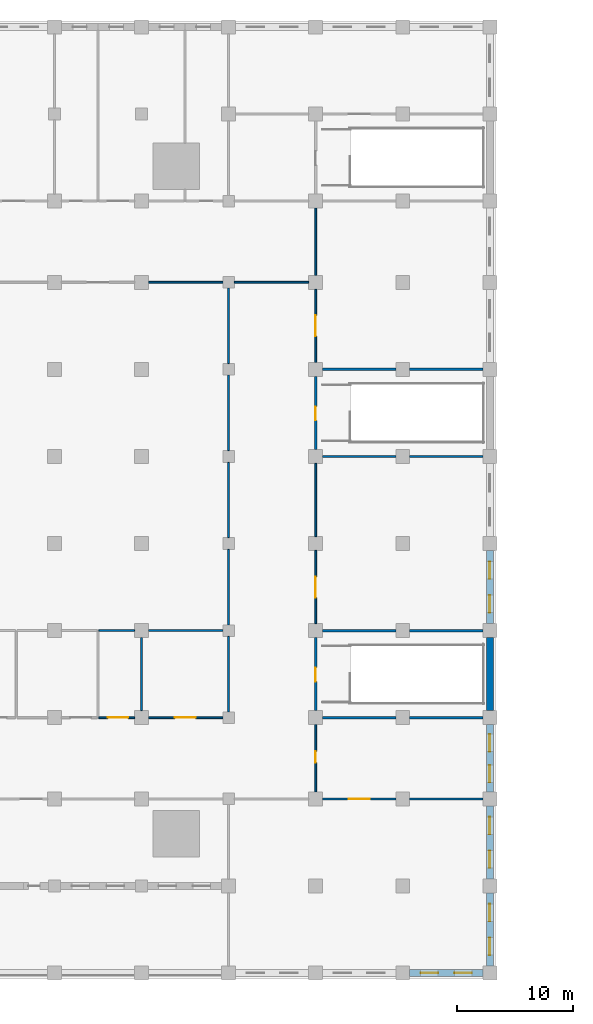
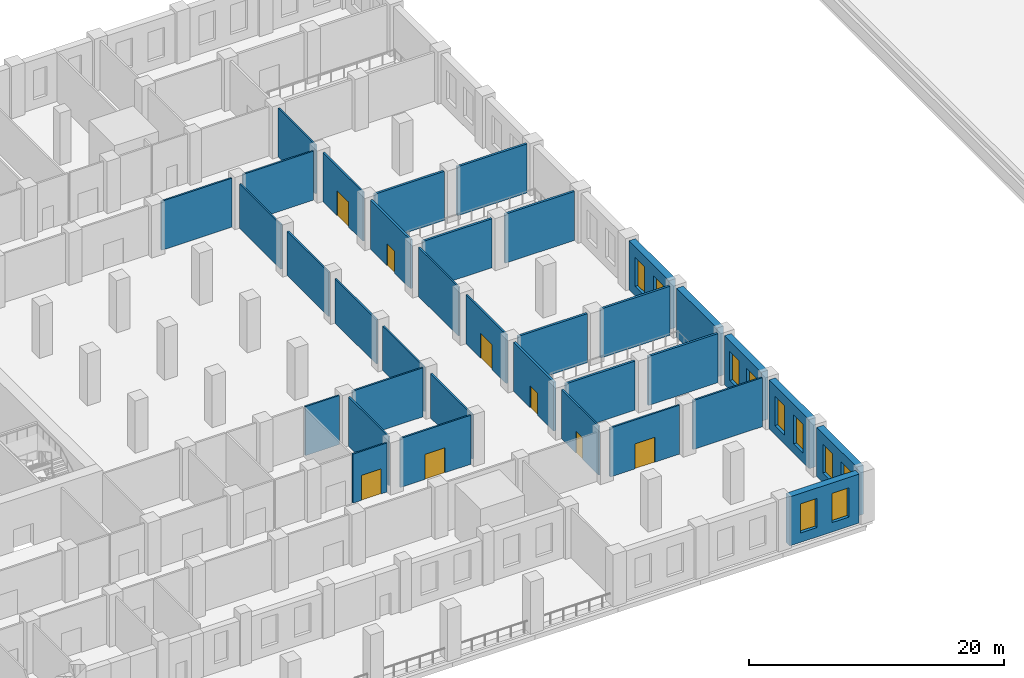
# One storey, part 8 of 22: 35 walls, 10 windows, 8 doors, 18 openings.
"""IFC4 building model written with IfcOpenShell, lengths in metres."""

import ifcopenshell
import ifcopenshell.guid

model = None  # the IFC model being written
_history = None  # IfcOwnerHistory: only IFC2X3 demands one
_inside = {}  # id of a spatial element -> (the spatial element, [elements in it])
_under = {}  # id of a project, library or spatial element -> (it, [spatial elements below it])
_declared = {}  # id of a project -> (the project, [libraries it declares])
_typed = {}  # id of a type object -> (the type object, [elements of that type])
_made_of = {}  # id of a material, layer set ... -> (it, [elements and type objects made of it])


def new_model(schema):
    """Start an empty IFC model of exactly this schema.

    Asked for "IFC4X3", IfcOpenShell would pick the latest addendum, in which some entities
    have other attributes; the version numbers below select the first issue.
    IFC2X3 requires an IfcOwnerHistory on every rooted entity: one is made here for all.
    """
    global model, _history
    if schema == "IFC4X3":
        model = ifcopenshell.file(schema_version=(4, 3, 0, 0))
    else:
        model = ifcopenshell.file(schema=schema)
    _inside.clear()
    _under.clear()
    _declared.clear()
    _typed.clear()
    _made_of.clear()
    _history = None
    if model.schema == "IFC2X3":
        org = make("IfcOrganization", Name="unknown")
        user = make(
            "IfcPersonAndOrganization",
            ThePerson=make("IfcPerson", FamilyName="unknown"),
            TheOrganization=org,
        )
        app = make(
            "IfcApplication",
            ApplicationDeveloper=org,
            Version="unknown",
            ApplicationFullName="unknown",
            ApplicationIdentifier="unknown",
        )
        _history = make(
            "IfcOwnerHistory",
            OwningUser=user,
            OwningApplication=app,
            ChangeAction="ADDED",
            CreationDate=0,
        )
    return model


def make(cls, **values):
    """One entity of the class cls with the attributes given. An attribute that is None is left unset."""
    return model.create_entity(
        cls, **{name: value for name, value in values.items() if value is not None}
    )


def rooted(cls, **values):
    """An entity with a GlobalId (a new one), such as an element, a storey or a relation."""
    return make(cls, GlobalId=ifcopenshell.guid.new(), OwnerHistory=_history, **values)


def si_unit(unit_type, name, prefix=None):
    """IfcSIUnit, for example si_unit("LENGTHUNIT", "METRE", prefix="MILLI")."""
    return make("IfcSIUnit", UnitType=unit_type, Prefix=prefix, Name=name)


def assignment(units):
    """IfcUnitAssignment: the units of a project."""
    return None if units is None else make("IfcUnitAssignment", Units=units)


def point(xyz):
    """IfcCartesianPoint."""
    return None if xyz is None else make("IfcCartesianPoint", Coordinates=xyz)


def direction(xyz):
    """IfcDirection."""
    return None if xyz is None else make("IfcDirection", DirectionRatios=xyz)


def frame(location, z_axis=None, x_axis=None):
    """IfcAxis2Placement3D, a coordinate frame: its origin and axes. An axis left out is left unset."""
    return make(
        "IfcAxis2Placement3D",
        Location=point(location),
        Axis=direction(z_axis),
        RefDirection=direction(x_axis),
    )


def frame_2d(location, x_axis=None):
    """IfcAxis2Placement2D, a coordinate frame in the plane: its origin and x axis."""
    return make(
        "IfcAxis2Placement2D", Location=point(location), RefDirection=direction(x_axis)
    )


def origin():
    """The frame at (0, 0, 0) with its axes left unset."""
    return frame((0.0, 0.0, 0.0))


def place(relative_to, where):
    """IfcLocalPlacement: puts the frame where relative to a parent placement (None: the world)."""
    return make(
        "IfcLocalPlacement", PlacementRelTo=relative_to, RelativePlacement=where
    )


def context(
    kind, dimensions, precision=None, world=None, true_north=None, identifier=None
):
    """IfcGeometricRepresentationContext, for example the 3D "Model" context."""
    return make(
        "IfcGeometricRepresentationContext",
        ContextIdentifier=identifier,
        ContextType=kind,
        CoordinateSpaceDimension=dimensions,
        Precision=precision,
        WorldCoordinateSystem=world,
        TrueNorth=true_north,
    )


def subcontext(parent, identifier, kind, view, scale=None):
    """IfcGeometricRepresentationSubContext, for example "Body" below "Model"."""
    return make(
        "IfcGeometricRepresentationSubContext",
        ContextIdentifier=identifier,
        ContextType=kind,
        ParentContext=parent,
        TargetScale=scale,
        TargetView=view,
    )


def project(units=None, contexts=None):
    """IfcProject with its units and contexts."""
    return rooted(
        "IfcProject",
        Name="project",
        RepresentationContexts=contexts,
        UnitsInContext=assignment(units),
    )


def spatial(cls, under=None, at=None, **own):
    """A site, building, storey or space (cls), placed at a placement, below another one or the project."""
    s = rooted(cls, ObjectPlacement=at, **own)
    if under is not None:
        _under.setdefault(under.id(), (under, []))[1].append(s)
    return s


def profile(cls, at=None, kind="AREA", **sizes):
    """A parametric profile (cls). Its sizes go by their IFC names, for example OverallWidth=200.0."""
    return make(cls, ProfileType=kind, Position=at, **sizes)


def rectangle(**sizes):
    """IfcRectangleProfileDef."""
    return profile("IfcRectangleProfileDef", **sizes)


def extrude(swept, where, along, depth):
    """IfcExtrudedAreaSolid: the profile swept, set in the frame where, extruded along a direction by depth."""
    return make(
        "IfcExtrudedAreaSolid",
        SweptArea=swept,
        Position=where,
        ExtrudedDirection=direction(along),
        Depth=depth,
    )


def shape(context_of_items, identifier, shape_type, items):
    """IfcShapeRepresentation: the items that make up one representation, for example the "Body"."""
    return make(
        "IfcShapeRepresentation",
        ContextOfItems=context_of_items,
        RepresentationIdentifier=identifier,
        RepresentationType=shape_type,
        Items=items,
    )


def material(Name=None, Category=None):
    """IfcMaterial."""
    return make("IfcMaterial", Name=Name, Category=Category)


def layer(
    of_material, thickness, ventilated=None, Name=None, Category=None, Priority=None
):
    """IfcMaterialLayer: one layer of a wall or slab, of a material (None: an air gap)."""
    return make(
        "IfcMaterialLayer",
        Material=of_material,
        LayerThickness=thickness,
        IsVentilated=ventilated,
        Name=Name,
        Category=Category,
        Priority=Priority,
    )


def layer_set(layers, Name=None):
    """IfcMaterialLayerSet."""
    return make("IfcMaterialLayerSet", MaterialLayers=layers, LayerSetName=Name)


def made_of(thing, what):
    """Note that an element or type object is made of a material, layer set ...; save() writes the relation."""
    if what is not None:
        _made_of.setdefault(what.id(), (what, []))[1].append(thing)
    return thing


def type_object(cls, material=None, **own):
    """A type object (cls), such as IfcWallType, which elements share."""
    return made_of(rooted(cls, **own), material)


def element(
    cls,
    number,
    at=None,
    inside=None,
    cuts=None,
    type_object=None,
    material=None,
    context=None,
    identifier="Body",
    shape_type=None,
    held_by="IfcProductDefinitionShape",
    body=None,
    shapes=None,
    **own,
):
    """One element of the class cls, such as IfcWall. Its Tag is "e" and its number.

    at: its placement. inside: the storey or other place that contains it. cuts: it is an
    opening in that element (IfcRelVoidsElement). A single representation is given by context,
    identifier, shape_type and body (its items); several are given by shapes. held_by: the class
    of the entity that holds the representations. save() writes the other relations.
    """
    e = rooted(cls, Tag="e%d" % number, ObjectPlacement=at, **own)
    if body is not None:
        shapes = [shape(context, identifier, shape_type, body)]
    if shapes is not None:
        e.Representation = make(held_by, Representations=shapes)
    if inside is not None:
        _inside.setdefault(inside.id(), (inside, []))[1].append(e)
    if cuts is not None:
        rooted(
            "IfcRelVoidsElement", RelatingBuildingElement=cuts, RelatedOpeningElement=e
        )
    if type_object is not None:
        _typed.setdefault(type_object.id(), (type_object, []))[1].append(e)
    return made_of(e, material)


def fill(opening, filler):
    """IfcRelFillsElement: the door or window that sits in an opening."""
    return rooted(
        "IfcRelFillsElement",
        RelatingOpeningElement=opening,
        RelatedBuildingElement=filler,
    )


def aggregate(whole, parts):
    """IfcRelAggregates: a whole, such as a stair, and the parts it consists of."""
    return rooted("IfcRelAggregates", RelatingObject=whole, RelatedObjects=parts)


def save(model, path):
    """Write the relations noted so far, then the file.

    IfcRelAggregates (storeys below a building ...), IfcRelContainedInSpatialStructure (elements
    in a storey), IfcRelDefinesByType, IfcRelAssociatesMaterial and IfcRelDeclares: one each for
    every whole, place, type object, material and project.
    """
    for whole, parts in _under.values():
        aggregate(whole, parts)
    for where, things in _inside.values():
        rooted(
            "IfcRelContainedInSpatialStructure",
            RelatedElements=things,
            RelatingStructure=where,
        )
    for kind, things in _typed.values():
        rooted("IfcRelDefinesByType", RelatedObjects=things, RelatingType=kind)
    for what, things in _made_of.values():
        rooted("IfcRelAssociatesMaterial", RelatedObjects=things, RelatingMaterial=what)
    for by, libraries in _declared.values():
        rooted("IfcRelDeclares", RelatingContext=by, RelatedDefinitions=libraries)
    model.write(path)


model = new_model("IFC4")

# Units and contexts
model_context = context("Model", 3, precision=1e-05, world=origin(), true_north=direction((0.0, 1.0)))
body_context = subcontext(model_context, "Body", "Model", "MODEL_VIEW")
ifc_project = project(units=[si_unit("LENGTHUNIT", "METRE"), si_unit("AREAUNIT", "SQUARE_METRE"), si_unit("VOLUMEUNIT", "CUBIC_METRE"), si_unit("PLANEANGLEUNIT", "RADIAN"), si_unit("MASSUNIT", "GRAM", prefix="KILO")], contexts=[model_context])

# Site, building, storey
site_placement = place(None, origin())
site = spatial("IfcSite", under=ifc_project, at=site_placement, CompositionType="ELEMENT")
building_placement = place(site_placement, origin())
building = spatial("IfcBuilding", under=site, at=building_placement, Name="Tamorin Gate", CompositionType="ELEMENT")
storey_placement = place(building_placement, frame((0.0, 0.0, 29.0)))
storey = spatial("IfcBuildingStorey", under=building, at=storey_placement, Name="L05", CompositionType="ELEMENT", Elevation=29.0)

# Wall, opening, door
ifc_material_1 = material(Name="Concrete masonry C20/25", Category="masonry")
ifc_layer_1 = layer(ifc_material_1, 0.14990234375)
ifc_layer_set_1 = layer_set([ifc_layer_1], Name="Partition 150")
wall_type_1 = type_object("IfcWallType", Name="Partition 150", PredefinedType="PARTITIONING", material=ifc_layer_set_1)
wall_1_placement = place(storey_placement, frame((97.60009765625, 45.5, 0.0), z_axis=(0.0, 0.0, 1.0), x_axis=(1.0, 0.0, 0.0)))
wall_1 = element("IfcWall", 1, at=wall_1_placement, inside=storey, type_object=wall_type_1, Name="Partition 150 L05", PredefinedType="PARTITIONING", context=body_context, shape_type="SweptSolid", body=[
    extrude(rectangle(XDim=6.2998046875, YDim=0.14990234375, at=frame_2d((3.14990234375, 0.0))), origin(), (0.0, 0.0, 1.0), 4.699951171875),
])
opening_1_placement = place(wall_1_placement, frame((2.25, 0.0, 0.0)))
opening_1 = element("IfcOpeningElement", 2, at=opening_1_placement, cuts=wall_1, Name="Opening DP3", PredefinedType="OPENING", context=body_context, shape_type="SweptSolid", body=[
    extrude(rectangle(XDim=1.800048828125, YDim=2.39990234375, at=frame_2d((0.89990234375, 1.199951171875))), frame((0.0, 0.0849609375, 0.0), z_axis=(0.0, -1.0, 0.0), x_axis=(1.0, 0.0, 0.0)), (0.0, 0.0, 1.0), 0.169921875),
])
ifc_material_2 = material(Name="Steel and glass", Category="steel")
door_type_1 = type_object("IfcDoorType", Name="Door pair 1800", OperationType="DOUBLE_DOOR_SINGLE_SWING", PredefinedType="DOOR", material=ifc_material_2)
door_1_placement = place(opening_1_placement, origin())
door_1 = element("IfcDoor", 3, at=door_1_placement, inside=storey, type_object=door_type_1, Name="Door pair 1800 L05", OperationType="SINGLE_SWING_LEFT", OverallHeight=2.39990234375, OverallWidth=1.800048828125, PredefinedType="DOOR", context=body_context, shape_type="SweptSolid", body=[
    extrude(rectangle(XDim=1.800048828125, YDim=2.39990234375, at=frame_2d((0.89990234375, 1.199951171875))), frame((0.0, 0.02490234375, 0.0), z_axis=(0.0, -1.0, 0.0), x_axis=(1.0, 0.0, 0.0)), (0.0, 0.0, 1.0), 0.050048828125),
])
fill(opening_1, door_1)

# Wall
wall_2_placement = place(storey_placement, frame((105.10009765625, 45.5, 0.0), z_axis=(0.0, 0.0, 1.0), x_axis=(1.0, 0.0, 0.0)))
element("IfcWall", 4, at=wall_2_placement, inside=storey, type_object=wall_type_1, Name="Partition 150 L05", PredefinedType="PARTITIONING", context=body_context, shape_type="SweptSolid", body=[
    extrude(rectangle(XDim=6.2998046875, YDim=0.14990234375, at=frame_2d((3.14990234375, 0.0))), origin(), (0.0, 0.0, 1.0), 4.699951171875),
])

# Wall, opening, door
wall_3_placement = place(storey_placement, frame((81.39990234375, 52.5, 0.0), z_axis=(0.0, 0.0, 1.0), x_axis=(-1.0, 0.0, 0.0)))
wall_3 = element("IfcWall", 5, at=wall_3_placement, inside=storey, type_object=wall_type_1, Name="Partition 150 L05", PredefinedType="PARTITIONING", context=body_context, shape_type="SweptSolid", body=[
    extrude(rectangle(XDim=3.074951171875, YDim=0.14990234375, at=frame_2d((1.53759765625, 0.0))), origin(), (0.0, 0.0, 1.0), 4.699951171875),
])
opening_2_placement = place(wall_3_placement, frame((0.52490234375, 0.0, 0.0)))
opening_2 = element("IfcOpeningElement", 6, at=opening_2_placement, cuts=wall_3, Name="Opening DP3", PredefinedType="OPENING", context=body_context, shape_type="SweptSolid", body=[
    extrude(rectangle(XDim=1.800048828125, YDim=2.39990234375, at=frame_2d((0.89990234375, 1.199951171875))), frame((0.0, 0.0849609375, 0.0), z_axis=(0.0, -1.0, 0.0), x_axis=(1.0, 0.0, 0.0)), (0.0, 0.0, 1.0), 0.169921875),
])
door_2_placement = place(opening_2_placement, origin())
door_2 = element("IfcDoor", 7, at=door_2_placement, inside=storey, type_object=door_type_1, Name="Door pair 1800 L05", OperationType="SINGLE_SWING_LEFT", OverallHeight=2.39990234375, OverallWidth=1.800048828125, PredefinedType="DOOR", context=body_context, shape_type="SweptSolid", body=[
    extrude(rectangle(XDim=1.800048828125, YDim=2.39990234375, at=frame_2d((0.89990234375, 1.199951171875))), frame((0.0, 0.02490234375, 0.0), z_axis=(0.0, -1.0, 0.0), x_axis=(1.0, 0.0, 0.0)), (0.0, 0.0, 1.0), 0.050048828125),
])
fill(opening_2, door_2)

wall_4_placement = place(storey_placement, frame((89.0, 52.5, 0.0), z_axis=(0.0, 0.0, 1.0), x_axis=(-1.0, 0.0, 0.0)))
wall_4 = element("IfcWall", 8, at=wall_4_placement, inside=storey, type_object=wall_type_1, Name="Partition 150 L05", PredefinedType="PARTITIONING", context=body_context, shape_type="SweptSolid", body=[
    extrude(rectangle(XDim=6.39990234375, YDim=0.14990234375, at=frame_2d((3.199951171875, 0.0))), origin(), (0.0, 0.0, 1.0), 4.699951171875),
])
opening_3_placement = place(wall_4_placement, frame((2.35009765625, 0.0, 0.0)))
opening_3 = element("IfcOpeningElement", 9, at=opening_3_placement, cuts=wall_4, Name="Opening DP3", PredefinedType="OPENING", context=body_context, shape_type="SweptSolid", body=[
    extrude(rectangle(XDim=1.800048828125, YDim=2.39990234375, at=frame_2d((0.89990234375, 1.199951171875))), frame((0.0, 0.0849609375, 0.0), z_axis=(0.0, -1.0, 0.0), x_axis=(1.0, 0.0, 0.0)), (0.0, 0.0, 1.0), 0.169921875),
])
door_3_placement = place(opening_3_placement, origin())
door_3 = element("IfcDoor", 10, at=door_3_placement, inside=storey, type_object=door_type_1, Name="Door pair 1800 L05", OperationType="SINGLE_SWING_LEFT", OverallHeight=2.39990234375, OverallWidth=1.800048828125, PredefinedType="DOOR", context=body_context, shape_type="SweptSolid", body=[
    extrude(rectangle(XDim=1.800048828125, YDim=2.39990234375, at=frame_2d((0.89990234375, 1.199951171875))), frame((0.0, 0.02490234375, 0.0), z_axis=(0.0, -1.0, 0.0), x_axis=(1.0, 0.0, 0.0)), (0.0, 0.0, 1.0), 0.050048828125),
])
fill(opening_3, door_3)

# Walls
wall_5_placement = place(storey_placement, frame((78.324951171875, 60.0, 0.0), z_axis=(0.0, 0.0, 1.0), x_axis=(1.0, 0.0, 0.0)))
element("IfcWall", 11, at=wall_5_placement, inside=storey, type_object=wall_type_1, Name="Partition 150 L05", PredefinedType="PARTITIONING", context=body_context, shape_type="SweptSolid", body=[
    extrude(rectangle(XDim=3.074951171875, YDim=0.14990234375, at=frame_2d((1.53759765625, 0.0))), origin(), (0.0, 0.0, 1.0), 4.699951171875),
])
for number, where, z_axis, x_axis, name in (
    (12, (82.60009765625, 60.0, 0.0), (0.0, 0.0, 1.0), (1.0, 0.0, 0.0), "Partition 150 L05"),
    (13, (82.60009765625, 90.0, 0.0), (0.0, 0.0, 1.0), (1.0, 0.0, 0.0), "Partition 150 L05"),
    (14, (90.0, 90.0, 0.0), (0.0, 0.0, 1.0), (1.0, 0.0, 0.0), "Partition 150 L05"),
):
    element("IfcWall", number, at=place(storey_placement, frame(where, z_axis=z_axis, x_axis=x_axis)), inside=storey, type_object=wall_type_1, Name=name, PredefinedType="PARTITIONING", context=body_context, shape_type="SweptSolid", body=[
        extrude(rectangle(XDim=6.39990234375, YDim=0.14990234375, at=frame_2d((3.199951171875, 0.0))), origin(), (0.0, 0.0, 1.0), 4.699951171875),
    ])

# Wall, opening, door
wall_6_placement = place(storey_placement, frame((97.0, 46.10009765625, 0.0), z_axis=(0.0, 0.0, 1.0), x_axis=(0.0, 1.0, 0.0)))
wall_6 = element("IfcWall", 15, at=wall_6_placement, inside=storey, type_object=wall_type_1, Name="Partition 150 L05", PredefinedType="PARTITIONING", context=body_context, shape_type="SweptSolid", body=[
    extrude(rectangle(XDim=5.7998046875, YDim=0.14990234375, at=frame_2d((2.89990234375, 0.0))), origin(), (0.0, 0.0, 1.0), 4.699951171875),
])
opening_4_placement = place(wall_6_placement, frame((2.5, 0.0, 0.0)))
opening_4 = element("IfcOpeningElement", 16, at=opening_4_placement, cuts=wall_6, Name="Opening DP2", PredefinedType="OPENING", context=body_context, shape_type="SweptSolid", body=[
    extrude(rectangle(XDim=1.0, YDim=2.10009765625, at=frame_2d((0.5, 1.050048828125))), frame((0.0, 0.0849609375, 0.0), z_axis=(0.0, -1.0, 0.0), x_axis=(1.0, 0.0, 0.0)), (0.0, 0.0, 1.0), 0.169921875),
])
ifc_material_3 = material(Name="Painted steel", Category="steel")
door_type_2 = type_object("IfcDoorType", Name="Door single 1000", OperationType="SINGLE_SWING_LEFT", PredefinedType="DOOR", material=ifc_material_3)
door_4_placement = place(opening_4_placement, origin())
door_4 = element("IfcDoor", 17, at=door_4_placement, inside=storey, type_object=door_type_2, Name="Door single 1000 L05", OperationType="SINGLE_SWING_LEFT", OverallHeight=2.10009765625, OverallWidth=1.0, PredefinedType="DOOR", context=body_context, shape_type="SweptSolid", body=[
    extrude(rectangle(XDim=1.0, YDim=2.10009765625, at=frame_2d((0.5, 1.050048828125))), frame((0.0, 0.02490234375, 0.0), z_axis=(0.0, -1.0, 0.0), x_axis=(1.0, 0.0, 0.0)), (0.0, 0.0, 1.0), 0.050048828125),
])
fill(opening_4, door_4)

wall_7_placement = place(storey_placement, frame((97.0, 60.60009765625, 0.0), z_axis=(0.0, 0.0, 1.0), x_axis=(0.0, 1.0, 0.0)))
wall_7 = element("IfcWall", 18, at=wall_7_placement, inside=storey, type_object=wall_type_1, Name="Partition 150 L05", PredefinedType="PARTITIONING", context=body_context, shape_type="SweptSolid", body=[
    extrude(rectangle(XDim=6.2998046875, YDim=0.14990234375, at=frame_2d((3.14990234375, 0.0))), origin(), (0.0, 0.0, 1.0), 4.699951171875),
])
opening_5_placement = place(wall_7_placement, frame((2.25, 0.0, 0.0)))
opening_5 = element("IfcOpeningElement", 19, at=opening_5_placement, cuts=wall_7, Name="Opening DP3", PredefinedType="OPENING", context=body_context, shape_type="SweptSolid", body=[
    extrude(rectangle(XDim=1.800048828125, YDim=2.39990234375, at=frame_2d((0.89990234375, 1.199951171875))), frame((0.0, 0.0849609375, 0.0), z_axis=(0.0, -1.0, 0.0), x_axis=(1.0, 0.0, 0.0)), (0.0, 0.0, 1.0), 0.169921875),
])
door_5_placement = place(opening_5_placement, origin())
door_5 = element("IfcDoor", 20, at=door_5_placement, inside=storey, type_object=door_type_1, Name="Door pair 1800 L05", OperationType="SINGLE_SWING_LEFT", OverallHeight=2.39990234375, OverallWidth=1.800048828125, PredefinedType="DOOR", context=body_context, shape_type="SweptSolid", body=[
    extrude(rectangle(XDim=1.800048828125, YDim=2.39990234375, at=frame_2d((0.89990234375, 1.199951171875))), frame((0.0, 0.02490234375, 0.0), z_axis=(0.0, -1.0, 0.0), x_axis=(1.0, 0.0, 0.0)), (0.0, 0.0, 1.0), 0.050048828125),
])
fill(opening_5, door_5)

# Wall
wall_8_placement = place(storey_placement, frame((97.0, 68.10009765625, 0.0), z_axis=(0.0, 0.0, 1.0), x_axis=(0.0, 1.0, 0.0)))
element("IfcWall", 21, at=wall_8_placement, inside=storey, type_object=wall_type_1, Name="Partition 150 L05", PredefinedType="PARTITIONING", context=body_context, shape_type="SweptSolid", body=[
    extrude(rectangle(XDim=6.2998046875, YDim=0.14990234375, at=frame_2d((3.14990234375, 0.0))), origin(), (0.0, 0.0, 1.0), 4.699951171875),
])

# Wall, opening, door
wall_9_placement = place(storey_placement, frame((97.0, 83.10009765625, 0.0), z_axis=(0.0, 0.0, 1.0), x_axis=(0.0, 1.0, 0.0)))
wall_9 = element("IfcWall", 22, at=wall_9_placement, inside=storey, type_object=wall_type_1, Name="Partition 150 L05", PredefinedType="PARTITIONING", context=body_context, shape_type="SweptSolid", body=[
    extrude(rectangle(XDim=6.2998046875, YDim=0.14990234375, at=frame_2d((3.14990234375, 0.0))), origin(), (0.0, 0.0, 1.0), 4.699951171875),
])
opening_6_placement = place(wall_9_placement, frame((2.25, 0.0, 0.0)))
opening_6 = element("IfcOpeningElement", 23, at=opening_6_placement, cuts=wall_9, Name="Opening DP3", PredefinedType="OPENING", context=body_context, shape_type="SweptSolid", body=[
    extrude(rectangle(XDim=1.800048828125, YDim=2.39990234375, at=frame_2d((0.89990234375, 1.199951171875))), frame((0.0, 0.0849609375, 0.0), z_axis=(0.0, -1.0, 0.0), x_axis=(1.0, 0.0, 0.0)), (0.0, 0.0, 1.0), 0.169921875),
])
door_6_placement = place(opening_6_placement, origin())
door_6 = element("IfcDoor", 24, at=door_6_placement, inside=storey, type_object=door_type_1, Name="Door pair 1800 L05", OperationType="SINGLE_SWING_LEFT", OverallHeight=2.39990234375, OverallWidth=1.800048828125, PredefinedType="DOOR", context=body_context, shape_type="SweptSolid", body=[
    extrude(rectangle(XDim=1.800048828125, YDim=2.39990234375, at=frame_2d((0.89990234375, 1.199951171875))), frame((0.0, 0.02490234375, 0.0), z_axis=(0.0, -1.0, 0.0), x_axis=(1.0, 0.0, 0.0)), (0.0, 0.0, 1.0), 0.050048828125),
])
fill(opening_6, door_6)

# Walls
wall_10_placement = place(storey_placement, frame((97.0, 90.60009765625, 0.0), z_axis=(0.0, 0.0, 1.0), x_axis=(0.0, 1.0, 0.0)))
element("IfcWall", 25, at=wall_10_placement, inside=storey, type_object=wall_type_1, Name="Partition 150 L05", PredefinedType="PARTITIONING", context=body_context, shape_type="SweptSolid", body=[
    extrude(rectangle(XDim=5.7998046875, YDim=0.14990234375, at=frame_2d((2.89990234375, 0.0))), origin(), (0.0, 0.0, 1.0), 4.699951171875),
])
for number, where, z_axis, x_axis, name in (
    (26, (89.5, 53.0, 0.0), (0.0, 0.0, 1.0), (0.0, 1.0, 0.0), "Partition 150 L05"),
    (27, (89.5, 60.5, 0.0), (0.0, 0.0, 1.0), (0.0, 1.0, 0.0), "Partition 150 L05"),
    (28, (89.5, 68.0, 0.0), (0.0, 0.0, 1.0), (0.0, 1.0, 0.0), "Partition 150 L05"),
    (29, (89.5, 75.5, 0.0), (0.0, 0.0, 1.0), (0.0, 1.0, 0.0), "Partition 150 L05"),
    (30, (89.5, 83.0, 0.0), (0.0, 0.0, 1.0), (0.0, 1.0, 0.0), "Partition 150 L05"),
):
    element("IfcWall", number, at=place(storey_placement, frame(where, z_axis=z_axis, x_axis=x_axis)), inside=storey, type_object=wall_type_1, Name=name, PredefinedType="PARTITIONING", context=body_context, shape_type="SweptSolid", body=[
        extrude(rectangle(XDim=6.5, YDim=0.14990234375, at=frame_2d((3.25, 0.0))), origin(), (0.0, 0.0, 1.0), 4.25),
    ])
wall_11_placement = place(storey_placement, frame((82.0, 53.10009765625, 0.0), z_axis=(0.0, 0.0, 1.0), x_axis=(0.0, 1.0, 0.0)))
element("IfcWall", 31, at=wall_11_placement, inside=storey, type_object=wall_type_1, Name="Partition 150 L05", PredefinedType="PARTITIONING", context=body_context, shape_type="SweptSolid", body=[
    extrude(rectangle(XDim=6.2998046875, YDim=0.14990234375, at=frame_2d((3.14990234375, 0.0))), origin(), (0.0, 0.0, 1.0), 4.699951171875),
])

# Wall, openings, windows
ifc_material_4 = material(Name="Precast concrete C40/50", Category="concrete")
ifc_layer_2 = layer(ifc_material_4, 0.60009765625)
ifc_layer_set_2 = layer_set([ifc_layer_2], Name="Precast concrete C40/50")
wall_type_2 = type_object("IfcWallType", Name="Precast plinth wall 600", PredefinedType="PARTITIONING", material=ifc_layer_set_2)
wall_12_placement = place(storey_placement, frame((105.10009765625, 30.5, 0.0), z_axis=(0.0, 0.0, 1.0), x_axis=(1.0, 0.0, 0.0)))
wall_12 = element("IfcWall", 32, at=wall_12_placement, inside=storey, type_object=wall_type_2, Name="Precast plinth wall 600 L05", PredefinedType="PARTITIONING", context=body_context, shape_type="SweptSolid", body=[
    extrude(rectangle(XDim=6.2998046875, YDim=0.60009765625, at=frame_2d((3.14990234375, 0.0))), origin(), (0.0, 0.0, 1.0), 4.699951171875),
])
opening_7_placement = place(wall_12_placement, frame((0.950927734375, 0.0, 0.89990234375)))
opening_7 = element("IfcOpeningElement", 33, at=opening_7_placement, cuts=wall_12, Name="Opening PWN5", PredefinedType="OPENING", context=body_context, shape_type="SweptSolid", body=[
    extrude(rectangle(XDim=1.5, YDim=2.800048828125, at=frame_2d((0.75, 1.39990234375))), frame((0.0, 0.31005859375, 0.0), z_axis=(0.0, -1.0, 0.0), x_axis=(1.0, 0.0, 0.0)), (0.0, 0.0, 1.0), 0.6201171875),
])
opening_8_placement = place(wall_12_placement, frame((3.84912109375, 0.0, 0.89990234375)))
opening_8 = element("IfcOpeningElement", 34, at=opening_8_placement, cuts=wall_12, Name="Opening PWN5", PredefinedType="OPENING", context=body_context, shape_type="SweptSolid", body=[
    extrude(rectangle(XDim=1.5, YDim=2.800048828125, at=frame_2d((0.75, 1.39990234375))), frame((0.0, 0.31005859375, 0.0), z_axis=(0.0, -1.0, 0.0), x_axis=(1.0, 0.0, 0.0)), (0.0, 0.0, 1.0), 0.6201171875),
])
ifc_material_5 = material(Name="Aluminium and glass", Category="aluminium")
window_type = type_object("IfcWindowType", Name="Plinth window 1500x2800", PartitioningType="DOUBLE_PANEL_VERTICAL", PredefinedType="WINDOW", material=ifc_material_5)
window_1_placement = place(opening_7_placement, origin())
window_1 = element("IfcWindow", 35, at=window_1_placement, inside=storey, type_object=window_type, Name="Plinth window 1500x2800", OverallHeight=2.800048828125, OverallWidth=1.5, PartitioningType="SINGLE_PANEL", PredefinedType="WINDOW", context=body_context, shape_type="SweptSolid", body=[
    extrude(rectangle(XDim=1.5, YDim=2.800048828125, at=frame_2d((0.75, 1.39990234375))), frame((0.0, 0.030029296875, 0.0), z_axis=(0.0, -1.0, 0.0), x_axis=(1.0, 0.0, 0.0)), (0.0, 0.0, 1.0), 0.06005859375),
])
fill(opening_7, window_1)
window_2_placement = place(opening_8_placement, origin())
window_2 = element("IfcWindow", 36, at=window_2_placement, inside=storey, type_object=window_type, Name="Plinth window 1500x2800", OverallHeight=2.800048828125, OverallWidth=1.5, PartitioningType="SINGLE_PANEL", PredefinedType="WINDOW", context=body_context, shape_type="SweptSolid", body=[
    extrude(rectangle(XDim=1.5, YDim=2.800048828125, at=frame_2d((0.75, 1.39990234375))), frame((0.0, 0.030029296875, 0.0), z_axis=(0.0, -1.0, 0.0), x_axis=(1.0, 0.0, 0.0)), (0.0, 0.0, 1.0), 0.06005859375),
])
fill(opening_8, window_2)

wall_13_placement = place(storey_placement, frame((112.0, 31.10009765625, 0.0), z_axis=(0.0, 0.0, 1.0), x_axis=(0.0, 1.0, 0.0)))
wall_13 = element("IfcWall", 37, at=wall_13_placement, inside=storey, type_object=wall_type_2, Name="Precast plinth wall 600 L05", PredefinedType="PARTITIONING", context=body_context, shape_type="SweptSolid", body=[
    extrude(rectangle(XDim=6.2998046875, YDim=0.60009765625, at=frame_2d((3.14990234375, 0.0))), origin(), (0.0, 0.0, 1.0), 4.699951171875),
])
opening_9_placement = place(wall_13_placement, frame((0.950927734375, 0.0, 0.89990234375)))
opening_9 = element("IfcOpeningElement", 38, at=opening_9_placement, cuts=wall_13, Name="Opening PWN5", PredefinedType="OPENING", context=body_context, shape_type="SweptSolid", body=[
    extrude(rectangle(XDim=1.5, YDim=2.800048828125, at=frame_2d((0.75, 1.39990234375))), frame((0.0, 0.31005859375, 0.0), z_axis=(0.0, -1.0, 0.0), x_axis=(1.0, 0.0, 0.0)), (0.0, 0.0, 1.0), 0.6201171875),
])
opening_10_placement = place(wall_13_placement, frame((3.84912109375, 0.0, 0.89990234375)))
opening_10 = element("IfcOpeningElement", 39, at=opening_10_placement, cuts=wall_13, Name="Opening PWN5", PredefinedType="OPENING", context=body_context, shape_type="SweptSolid", body=[
    extrude(rectangle(XDim=1.5, YDim=2.800048828125, at=frame_2d((0.75, 1.39990234375))), frame((0.0, 0.31005859375, 0.0), z_axis=(0.0, -1.0, 0.0), x_axis=(1.0, 0.0, 0.0)), (0.0, 0.0, 1.0), 0.6201171875),
])
window_3_placement = place(opening_9_placement, origin())
window_3 = element("IfcWindow", 40, at=window_3_placement, inside=storey, type_object=window_type, Name="Plinth window 1500x2800", OverallHeight=2.800048828125, OverallWidth=1.5, PartitioningType="SINGLE_PANEL", PredefinedType="WINDOW", context=body_context, shape_type="SweptSolid", body=[
    extrude(rectangle(XDim=1.5, YDim=2.800048828125, at=frame_2d((0.75, 1.39990234375))), frame((0.0, 0.030029296875, 0.0), z_axis=(0.0, -1.0, 0.0), x_axis=(1.0, 0.0, 0.0)), (0.0, 0.0, 1.0), 0.06005859375),
])
fill(opening_9, window_3)
window_4_placement = place(opening_10_placement, origin())
window_4 = element("IfcWindow", 41, at=window_4_placement, inside=storey, type_object=window_type, Name="Plinth window 1500x2800", OverallHeight=2.800048828125, OverallWidth=1.5, PartitioningType="SINGLE_PANEL", PredefinedType="WINDOW", context=body_context, shape_type="SweptSolid", body=[
    extrude(rectangle(XDim=1.5, YDim=2.800048828125, at=frame_2d((0.75, 1.39990234375))), frame((0.0, 0.030029296875, 0.0), z_axis=(0.0, -1.0, 0.0), x_axis=(1.0, 0.0, 0.0)), (0.0, 0.0, 1.0), 0.06005859375),
])
fill(opening_10, window_4)

wall_14_placement = place(storey_placement, frame((112.0, 38.60009765625, 0.0), z_axis=(0.0, 0.0, 1.0), x_axis=(0.0, 1.0, 0.0)))
wall_14 = element("IfcWall", 42, at=wall_14_placement, inside=storey, type_object=wall_type_2, Name="Precast plinth wall 600 L05", PredefinedType="PARTITIONING", context=body_context, shape_type="SweptSolid", body=[
    extrude(rectangle(XDim=6.2998046875, YDim=0.60009765625, at=frame_2d((3.14990234375, 0.0))), origin(), (0.0, 0.0, 1.0), 4.699951171875),
])
opening_11_placement = place(wall_14_placement, frame((0.950927734375, 0.0, 0.89990234375)))
opening_11 = element("IfcOpeningElement", 43, at=opening_11_placement, cuts=wall_14, Name="Opening PWN5", PredefinedType="OPENING", context=body_context, shape_type="SweptSolid", body=[
    extrude(rectangle(XDim=1.5, YDim=2.800048828125, at=frame_2d((0.75, 1.39990234375))), frame((0.0, 0.31005859375, 0.0), z_axis=(0.0, -1.0, 0.0), x_axis=(1.0, 0.0, 0.0)), (0.0, 0.0, 1.0), 0.6201171875),
])
opening_12_placement = place(wall_14_placement, frame((3.84912109375, 0.0, 0.89990234375)))
opening_12 = element("IfcOpeningElement", 44, at=opening_12_placement, cuts=wall_14, Name="Opening PWN5", PredefinedType="OPENING", context=body_context, shape_type="SweptSolid", body=[
    extrude(rectangle(XDim=1.5, YDim=2.800048828125, at=frame_2d((0.75, 1.39990234375))), frame((0.0, 0.31005859375, 0.0), z_axis=(0.0, -1.0, 0.0), x_axis=(1.0, 0.0, 0.0)), (0.0, 0.0, 1.0), 0.6201171875),
])
window_5_placement = place(opening_11_placement, origin())
window_5 = element("IfcWindow", 45, at=window_5_placement, inside=storey, type_object=window_type, Name="Plinth window 1500x2800", OverallHeight=2.800048828125, OverallWidth=1.5, PartitioningType="SINGLE_PANEL", PredefinedType="WINDOW", context=body_context, shape_type="SweptSolid", body=[
    extrude(rectangle(XDim=1.5, YDim=2.800048828125, at=frame_2d((0.75, 1.39990234375))), frame((0.0, 0.030029296875, 0.0), z_axis=(0.0, -1.0, 0.0), x_axis=(1.0, 0.0, 0.0)), (0.0, 0.0, 1.0), 0.06005859375),
])
fill(opening_11, window_5)
window_6_placement = place(opening_12_placement, origin())
window_6 = element("IfcWindow", 46, at=window_6_placement, inside=storey, type_object=window_type, Name="Plinth window 1500x2800", OverallHeight=2.800048828125, OverallWidth=1.5, PartitioningType="SINGLE_PANEL", PredefinedType="WINDOW", context=body_context, shape_type="SweptSolid", body=[
    extrude(rectangle(XDim=1.5, YDim=2.800048828125, at=frame_2d((0.75, 1.39990234375))), frame((0.0, 0.030029296875, 0.0), z_axis=(0.0, -1.0, 0.0), x_axis=(1.0, 0.0, 0.0)), (0.0, 0.0, 1.0), 0.06005859375),
])
fill(opening_12, window_6)

wall_15_placement = place(storey_placement, frame((112.0, 46.10009765625, 0.0), z_axis=(0.0, 0.0, 1.0), x_axis=(0.0, 1.0, 0.0)))
wall_15 = element("IfcWall", 47, at=wall_15_placement, inside=storey, type_object=wall_type_2, Name="Precast plinth wall 600 L05", PredefinedType="PARTITIONING", context=body_context, shape_type="SweptSolid", body=[
    extrude(rectangle(XDim=5.7998046875, YDim=0.60009765625, at=frame_2d((2.89990234375, 0.0))), origin(), (0.0, 0.0, 1.0), 4.699951171875),
])
opening_13_placement = place(wall_15_placement, frame((0.81591796875, 0.0, 0.89990234375)))
opening_13 = element("IfcOpeningElement", 48, at=opening_13_placement, cuts=wall_15, Name="Opening PWN5", PredefinedType="OPENING", context=body_context, shape_type="SweptSolid", body=[
    extrude(rectangle(XDim=1.5, YDim=2.800048828125, at=frame_2d((0.75, 1.39990234375))), frame((0.0, 0.31005859375, 0.0), z_axis=(0.0, -1.0, 0.0), x_axis=(1.0, 0.0, 0.0)), (0.0, 0.0, 1.0), 0.6201171875),
])
opening_14_placement = place(wall_15_placement, frame((3.48388671875, 0.0, 0.89990234375)))
opening_14 = element("IfcOpeningElement", 49, at=opening_14_placement, cuts=wall_15, Name="Opening PWN5", PredefinedType="OPENING", context=body_context, shape_type="SweptSolid", body=[
    extrude(rectangle(XDim=1.5, YDim=2.800048828125, at=frame_2d((0.75, 1.39990234375))), frame((0.0, 0.31005859375, 0.0), z_axis=(0.0, -1.0, 0.0), x_axis=(1.0, 0.0, 0.0)), (0.0, 0.0, 1.0), 0.6201171875),
])
window_7_placement = place(opening_13_placement, origin())
window_7 = element("IfcWindow", 50, at=window_7_placement, inside=storey, type_object=window_type, Name="Plinth window 1500x2800", OverallHeight=2.800048828125, OverallWidth=1.5, PartitioningType="SINGLE_PANEL", PredefinedType="WINDOW", context=body_context, shape_type="SweptSolid", body=[
    extrude(rectangle(XDim=1.5, YDim=2.800048828125, at=frame_2d((0.75, 1.39990234375))), frame((0.0, 0.030029296875, 0.0), z_axis=(0.0, -1.0, 0.0), x_axis=(1.0, 0.0, 0.0)), (0.0, 0.0, 1.0), 0.06005859375),
])
fill(opening_13, window_7)
window_8_placement = place(opening_14_placement, origin())
window_8 = element("IfcWindow", 51, at=window_8_placement, inside=storey, type_object=window_type, Name="Plinth window 1500x2800", OverallHeight=2.800048828125, OverallWidth=1.5, PartitioningType="SINGLE_PANEL", PredefinedType="WINDOW", context=body_context, shape_type="SweptSolid", body=[
    extrude(rectangle(XDim=1.5, YDim=2.800048828125, at=frame_2d((0.75, 1.39990234375))), frame((0.0, 0.030029296875, 0.0), z_axis=(0.0, -1.0, 0.0), x_axis=(1.0, 0.0, 0.0)), (0.0, 0.0, 1.0), 0.06005859375),
])
fill(opening_14, window_8)

# Wall
wall_16_placement = place(storey_placement, frame((112.0, 53.10009765625, 0.0), z_axis=(0.0, 0.0, 1.0), x_axis=(0.0, 1.0, 0.0)))
element("IfcWall", 52, at=wall_16_placement, inside=storey, type_object=wall_type_2, Name="Precast plinth wall 600 L05", PredefinedType="PARTITIONING", context=body_context, shape_type="SweptSolid", body=[
    extrude(rectangle(XDim=6.2998046875, YDim=0.60009765625, at=frame_2d((3.14990234375, 0.0))), origin(), (0.0, 0.0, 1.0), 4.699951171875),
])

# Wall, openings, windows
wall_17_placement = place(storey_placement, frame((112.0, 60.60009765625, 0.0), z_axis=(0.0, 0.0, 1.0), x_axis=(0.0, 1.0, 0.0)))
wall_17 = element("IfcWall", 53, at=wall_17_placement, inside=storey, type_object=wall_type_2, Name="Precast plinth wall 600 L05", PredefinedType="PARTITIONING", context=body_context, shape_type="SweptSolid", body=[
    extrude(rectangle(XDim=6.2998046875, YDim=0.60009765625, at=frame_2d((3.14990234375, 0.0))), origin(), (0.0, 0.0, 1.0), 4.699951171875),
])
opening_15_placement = place(wall_17_placement, frame((0.950927734375, 0.0, 0.89990234375)))
opening_15 = element("IfcOpeningElement", 54, at=opening_15_placement, cuts=wall_17, Name="Opening PWN5", PredefinedType="OPENING", context=body_context, shape_type="SweptSolid", body=[
    extrude(rectangle(XDim=1.5, YDim=2.800048828125, at=frame_2d((0.75, 1.39990234375))), frame((0.0, 0.31005859375, 0.0), z_axis=(0.0, -1.0, 0.0), x_axis=(1.0, 0.0, 0.0)), (0.0, 0.0, 1.0), 0.6201171875),
])
opening_16_placement = place(wall_17_placement, frame((3.84912109375, 0.0, 0.89990234375)))
opening_16 = element("IfcOpeningElement", 55, at=opening_16_placement, cuts=wall_17, Name="Opening PWN5", PredefinedType="OPENING", context=body_context, shape_type="SweptSolid", body=[
    extrude(rectangle(XDim=1.5, YDim=2.800048828125, at=frame_2d((0.75, 1.39990234375))), frame((0.0, 0.31005859375, 0.0), z_axis=(0.0, -1.0, 0.0), x_axis=(1.0, 0.0, 0.0)), (0.0, 0.0, 1.0), 0.6201171875),
])
window_9_placement = place(opening_15_placement, origin())
window_9 = element("IfcWindow", 56, at=window_9_placement, inside=storey, type_object=window_type, Name="Plinth window 1500x2800", OverallHeight=2.800048828125, OverallWidth=1.5, PartitioningType="SINGLE_PANEL", PredefinedType="WINDOW", context=body_context, shape_type="SweptSolid", body=[
    extrude(rectangle(XDim=1.5, YDim=2.800048828125, at=frame_2d((0.75, 1.39990234375))), frame((0.0, 0.030029296875, 0.0), z_axis=(0.0, -1.0, 0.0), x_axis=(1.0, 0.0, 0.0)), (0.0, 0.0, 1.0), 0.06005859375),
])
fill(opening_15, window_9)
window_10_placement = place(opening_16_placement, origin())
window_10 = element("IfcWindow", 57, at=window_10_placement, inside=storey, type_object=window_type, Name="Plinth window 1500x2800", OverallHeight=2.800048828125, OverallWidth=1.5, PartitioningType="SINGLE_PANEL", PredefinedType="WINDOW", context=body_context, shape_type="SweptSolid", body=[
    extrude(rectangle(XDim=1.5, YDim=2.800048828125, at=frame_2d((0.75, 1.39990234375))), frame((0.0, 0.030029296875, 0.0), z_axis=(0.0, -1.0, 0.0), x_axis=(1.0, 0.0, 0.0)), (0.0, 0.0, 1.0), 0.06005859375),
])
fill(opening_16, window_10)

# Walls
ifc_material_6 = material(Name="Concrete C40/50", Category="concrete")
ifc_layer_3 = layer(ifc_material_6, 0.199951171875)
ifc_layer_set_3 = layer_set([ifc_layer_3], Name="Stair enclosure 200")
wall_type_3 = type_object("IfcWallType", Name="Stair enclosure 200", PredefinedType="SHEAR", material=ifc_layer_set_3)
for number, where, z_axis, x_axis, name in (
    (58, (97.60009765625, 52.5, 0.0), (0.0, 0.0, 1.0), (1.0, 0.0, 0.0), "Stair enclosure 200 L05"),
    (59, (105.10009765625, 52.5, 0.0), (0.0, 0.0, 1.0), (1.0, 0.0, 0.0), "Stair enclosure 200 L05"),
    (60, (97.60009765625, 60.0, 0.0), (0.0, 0.0, 1.0), (1.0, 0.0, 0.0), "Stair enclosure 200 L05"),
    (61, (105.10009765625, 60.0, 0.0), (0.0, 0.0, 1.0), (1.0, 0.0, 0.0), "Stair enclosure 200 L05"),
    (62, (97.60009765625, 75.0, 0.0), (0.0, 0.0, 1.0), (1.0, 0.0, 0.0), "Stair enclosure 200 L05"),
    (63, (105.10009765625, 75.0, 0.0), (0.0, 0.0, 1.0), (1.0, 0.0, 0.0), "Stair enclosure 200 L05"),
    (64, (97.60009765625, 82.5, 0.0), (0.0, 0.0, 1.0), (1.0, 0.0, 0.0), "Stair enclosure 200 L05"),
    (65, (105.10009765625, 82.5, 0.0), (0.0, 0.0, 1.0), (1.0, 0.0, 0.0), "Stair enclosure 200 L05"),
):
    element("IfcWall", number, at=place(storey_placement, frame(where, z_axis=z_axis, x_axis=x_axis)), inside=storey, type_object=wall_type_3, Name=name, PredefinedType="SHEAR", context=body_context, shape_type="SweptSolid", body=[
        extrude(rectangle(XDim=6.2998046875, YDim=0.199951171875, at=frame_2d((3.14990234375, 0.0))), origin(), (0.0, 0.0, 1.0), 4.699951171875),
    ])

# Wall, opening, door
wall_18_placement = place(storey_placement, frame((97.0, 59.39990234375, 0.0), z_axis=(0.0, 0.0, 1.0), x_axis=(0.0, -1.0, 0.0)))
wall_18 = element("IfcWall", 66, at=wall_18_placement, inside=storey, type_object=wall_type_3, Name="Stair enclosure 200 L05", PredefinedType="SHEAR", context=body_context, shape_type="SweptSolid", body=[
    extrude(rectangle(XDim=6.2998046875, YDim=0.199951171875, at=frame_2d((3.14990234375, 0.0))), origin(), (0.0, 0.0, 1.0), 4.699951171875),
])
opening_17_placement = place(wall_18_placement, frame((2.60009765625, 0.0, 0.0)))
opening_17 = element("IfcOpeningElement", 67, at=opening_17_placement, cuts=wall_18, Name="Opening DP5", PredefinedType="OPENING", context=body_context, shape_type="SweptSolid", body=[
    extrude(rectangle(XDim=1.199951171875, YDim=2.10009765625, at=frame_2d((0.60009765625, 1.050048828125))), frame((0.0, 0.10986328125, 0.0), z_axis=(0.0, -1.0, 0.0), x_axis=(1.0, 0.0, 0.0)), (0.0, 0.0, 1.0), 0.219970703125),
])
door_type_3 = type_object("IfcDoorType", Name="Stair door 1200", OperationType="SINGLE_SWING_LEFT", PredefinedType="DOOR", material=ifc_material_3)
door_7_placement = place(opening_17_placement, origin())
door_7 = element("IfcDoor", 68, at=door_7_placement, inside=storey, type_object=door_type_3, Name="Stair door 1200 L05", OperationType="SINGLE_SWING_LEFT", OverallHeight=2.10009765625, OverallWidth=1.199951171875, PredefinedType="DOOR", context=body_context, shape_type="SweptSolid", body=[
    extrude(rectangle(XDim=1.199951171875, YDim=2.10009765625, at=frame_2d((0.60009765625, 1.050048828125))), frame((0.0, 0.02490234375, 0.0), z_axis=(0.0, -1.0, 0.0), x_axis=(1.0, 0.0, 0.0)), (0.0, 0.0, 1.0), 0.050048828125),
])
fill(opening_17, door_7)

wall_19_placement = place(storey_placement, frame((97.0, 81.89990234375, 0.0), z_axis=(0.0, 0.0, 1.0), x_axis=(0.0, -1.0, 0.0)))
wall_19 = element("IfcWall", 69, at=wall_19_placement, inside=storey, type_object=wall_type_3, Name="Stair enclosure 200 L05", PredefinedType="SHEAR", context=body_context, shape_type="SweptSolid", body=[
    extrude(rectangle(XDim=6.2998046875, YDim=0.199951171875, at=frame_2d((3.14990234375, 0.0))), origin(), (0.0, 0.0, 1.0), 4.699951171875),
])
opening_18_placement = place(wall_19_placement, frame((2.60009765625, 0.0, 0.0)))
opening_18 = element("IfcOpeningElement", 70, at=opening_18_placement, cuts=wall_19, Name="Opening DP5", PredefinedType="OPENING", context=body_context, shape_type="SweptSolid", body=[
    extrude(rectangle(XDim=1.199951171875, YDim=2.10009765625, at=frame_2d((0.60009765625, 1.050048828125))), frame((0.0, 0.10986328125, 0.0), z_axis=(0.0, -1.0, 0.0), x_axis=(1.0, 0.0, 0.0)), (0.0, 0.0, 1.0), 0.219970703125),
])
door_8_placement = place(opening_18_placement, origin())
door_8 = element("IfcDoor", 71, at=door_8_placement, inside=storey, type_object=door_type_3, Name="Stair door 1200 L05", OperationType="SINGLE_SWING_LEFT", OverallHeight=2.10009765625, OverallWidth=1.199951171875, PredefinedType="DOOR", context=body_context, shape_type="SweptSolid", body=[
    extrude(rectangle(XDim=1.199951171875, YDim=2.10009765625, at=frame_2d((0.60009765625, 1.050048828125))), frame((0.0, 0.02490234375, 0.0), z_axis=(0.0, -1.0, 0.0), x_axis=(1.0, 0.0, 0.0)), (0.0, 0.0, 1.0), 0.050048828125),
])
fill(opening_18, door_8)

save(model, "model.ifc")
